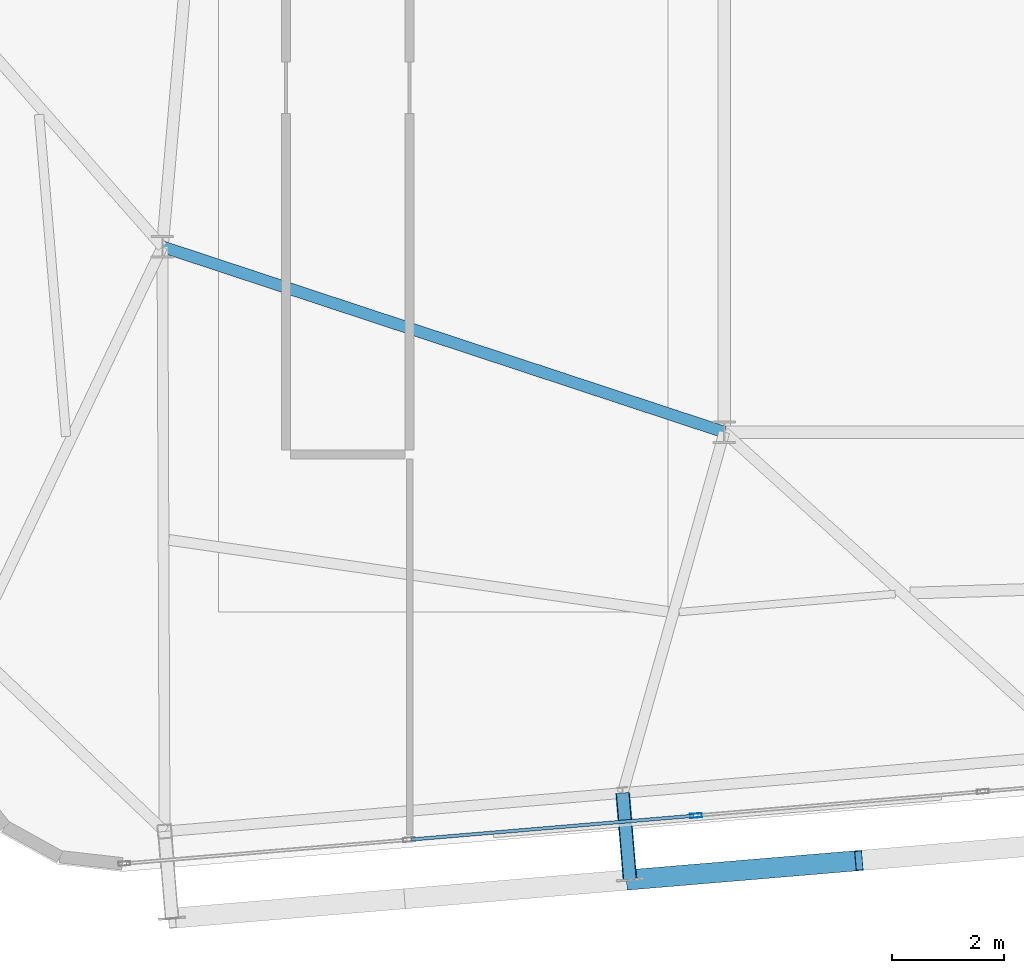
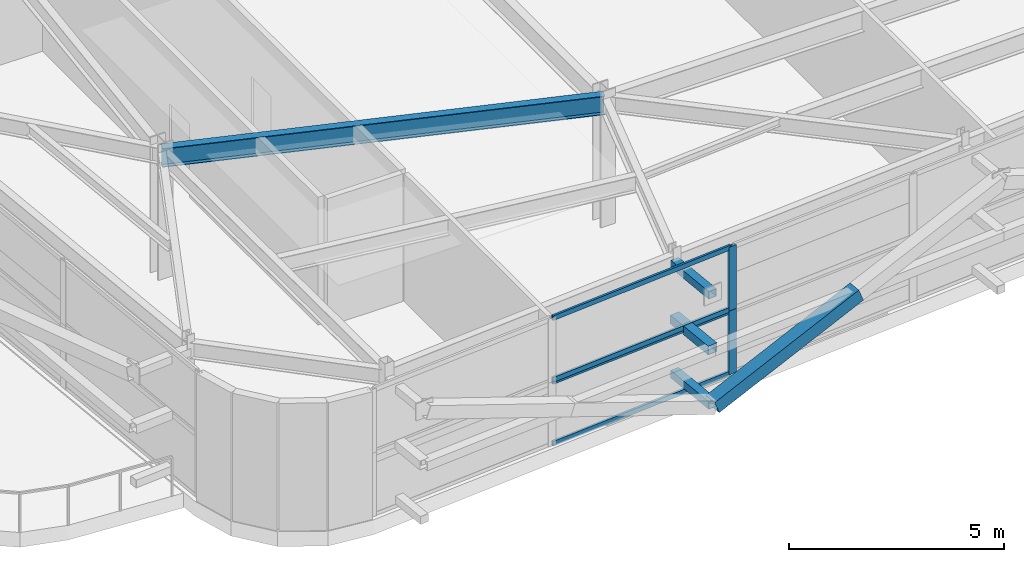
# One storey, part 9 of 38: 10 members, 1 beam, 2 elements without a shape of their own.
"""IFC4 building model written with IfcOpenShell, lengths in metres."""

from ifc_helpers import new_model, si_unit, direction, frame, origin, origin_2d, place, context, subcontext, project, spatial, hollow_rectangle, i_section, extrude, source, transform, mapped, material, layer, layer_set, material_profile, profile_set, type_object, element, aggregate, save


model = new_model("IFC4")

# Units and contexts
model_context = context("Model", 3, precision=1e-05, world=origin(), true_north=direction((0.0, 1.0)))
body_context = subcontext(model_context, "Body", "Model", "MODEL_VIEW")
ifc_project = project(units=[si_unit("LENGTHUNIT", "METRE"), si_unit("AREAUNIT", "SQUARE_METRE"), si_unit("VOLUMEUNIT", "CUBIC_METRE"), si_unit("PLANEANGLEUNIT", "RADIAN"), si_unit("MASSUNIT", "GRAM", prefix="KILO")], contexts=[model_context])

# Site, building, storey
site_placement = place(None, origin())
site = spatial("IfcSite", under=ifc_project, at=site_placement, CompositionType="ELEMENT")
building_placement = place(site_placement, origin())
building = spatial("IfcBuilding", under=site, at=building_placement, Name="Taldren Reach Tower", CompositionType="ELEMENT")
storey_placement = place(building_placement, frame((0.0, 0.0, 168.699951171875)))
storey = spatial("IfcBuildingStorey", under=building, at=storey_placement, Name="L51", CompositionType="ELEMENT", Elevation=168.699951171875)

# Beam
ifc_material_1 = material(Name="Steel Gr 350 (350PLUS)", Category="steel")
ifc_material_profile_1 = material_profile(ifc_material_1, i_section(OverallWidth=0.208984375, OverallDepth=0.532958984375, WebThickness=0.01025390625, FlangeThickness=0.015625, at=origin_2d()), Name="530UB92.4")
ifc_profile_set_1 = profile_set([ifc_material_profile_1], Name="Steel Gr 350 (350PLUS)")
beam_type = type_object("IfcBeamType", Name="BM-UB530A", PredefinedType="BEAM", material=ifc_profile_set_1)
shared_shape_1 = source(origin(), body_context, "Body", "SweptSolid", [
    extrude(i_section(OverallWidth=0.208984375, OverallDepth=0.532958984375, WebThickness=0.01025390625, FlangeThickness=0.015625, at=origin_2d()), origin(), (0.0, 0.0, 1.0), 10.530517578125),
])
beam_placement = place(storey_placement, frame((18.0, 12.5, 3.363525390625), z_axis=(0.949627269203, -0.313381635689, 0.0), x_axis=(0.313381635689, 0.949627269203, 0.0)))
element("IfcBeam", 1, at=beam_placement, inside=storey, type_object=beam_type, Name="Core-spine girder L51-SP10", PredefinedType="BEAM", context=body_context, shape_type="MappedRepresentation", body=[
    mapped(shared_shape_1, transform((0.0, 0.0, 0.0), scale=1.0)),
])

# Members
ifc_material_2 = material(Name="Steel Gr 350 (C350L0)", Category="steel")
ifc_material_profile_2 = material_profile(ifc_material_2, hollow_rectangle(XDim=0.25, YDim=0.25, WallThickness=0.010009765625, at=origin_2d()), Name="250x250x10.0SHS")
ifc_profile_set_2 = profile_set([ifc_material_profile_2], Name="Steel Gr 350 (C350L0)")
member_type_1 = type_object("IfcMemberType", Name="MB-POST250", PredefinedType="POST", material=ifc_profile_set_2)
shared_shape_2 = source(origin(), body_context, "Body", "SweptSolid", [
    extrude(hollow_rectangle(XDim=0.25, YDim=0.25, WallThickness=0.010009765625, at=origin_2d()), origin(), (0.0, 0.0, 1.0), 1.550048828125),
])
member_1_placement = place(storey_placement, frame((26.19091796875, 2.778564453125, 1.78515625), z_axis=(0.083632013783, -0.996496706603, 0.0), x_axis=(0.996496706603, 0.083632013783, 0.0)))
element("IfcMember", 2, at=member_1_placement, inside=storey, type_object=member_type_1, Name="Exoskeleton mid-tier diaphragm tie B4-S2 L51", PredefinedType="POST", context=body_context, shape_type="MappedRepresentation", body=[
    mapped(shared_shape_2, transform((0.0, 0.0, 0.0), scale=1.0)),
])
ifc_material_3 = material(Name="Steel Gr 450 (C450L0)", Category="steel")
ifc_material_profile_3 = material_profile(ifc_material_3, hollow_rectangle(XDim=0.219970703125, YDim=0.219970703125, WallThickness=0.00830078125, at=origin_2d()), Name="220x220x8.2SHS")
ifc_profile_set_3 = profile_set([ifc_material_profile_3], Name="Steel Gr 450 (C450L0)")
member_type_2 = type_object("IfcMemberType", Name="MB-TIE219", PredefinedType="STRUT", material=ifc_profile_set_3)
shared_shape_3 = source(origin(), body_context, "Body", "SweptSolid", [
    extrude(hollow_rectangle(XDim=0.219970703125, YDim=0.219970703125, WallThickness=0.00830078125, at=origin_2d()), origin(), (0.0, 0.0, 1.0), 1.550048828125),
])
for number, where, z_axis, x_axis, name in (
    (3, (26.19091796875, 2.778564453125, 3.35009765625), (0.083632013783, -0.996496706603, 0.0), (0.996496706603, 0.083632013783, 0.0), "Exoskeleton diaphragm tie strut B4-S2 L51"),
    (4, (26.19091796875, 2.778564453125, 0.219970703125), (0.083632013783, -0.996496706603, 0.0), (0.996496706603, 0.083632013783, 0.0), "Exoskeleton base diaphragm tie strut B4-S2 L51"),
):
    element("IfcMember", number, at=place(storey_placement, frame(where, z_axis=z_axis, x_axis=x_axis)), inside=storey, type_object=member_type_2, Name=name, PredefinedType="STRUT", context=body_context, shape_type="MappedRepresentation", body=[
        mapped(shared_shape_3, transform((0.0, 0.0, 0.0), scale=1.0)),
    ])
ifc_material_profile_4 = material_profile(ifc_material_3, hollow_rectangle(XDim=0.360107421875, YDim=0.360107421875, WallThickness=0.0126953125, at=origin_2d()), Name="360x360x12.7SHS")
ifc_profile_set_4 = profile_set([ifc_material_profile_4], Name="Steel Gr 450 (C450L0)")
member_type_3 = type_object("IfcMemberType", Name="MB-EXO356", PredefinedType="BRACE", material=ifc_profile_set_4)
shared_shape_4 = source(origin(), body_context, "Body", "SweptSolid", [
    extrude(hollow_rectangle(XDim=0.360107421875, YDim=0.360107421875, WallThickness=0.0126953125, at=origin_2d()), origin(), (0.0, 0.0, 1.0), 4.37939453125),
])
member_2_placement = place(storey_placement, frame((26.320556640625, 1.23388671875, 0.219970703125), z_axis=(0.930672697263, 0.078160004886, 0.357406413212), x_axis=(-0.083687662192, 0.996492034688, 0.0)))
element("IfcMember", 5, at=member_2_placement, inside=storey, type_object=member_type_3, Name="Exoskeleton Diagrid Brace B4-S2 L51", PredefinedType="BRACE", context=body_context, shape_type="MappedRepresentation", body=[
    mapped(shared_shape_4, transform((0.0, 0.0, 0.0), scale=1.0)),
])

# Curtain wall, members
ifc_material_4 = material(Name="Aluminium and Low-E Glass Unitised System", Category="aluminium")
ifc_layer = layer(ifc_material_4, 0.159912109375)
ifc_layer_set = layer_set([ifc_layer], Name="Aluminium and Low-E Glass Unitised System")
curtain_wall_type = type_object("IfcCurtainWallType", Name="CW-SYS-7", PredefinedType="NOTDEFINED", material=ifc_layer_set)
curtain_wall_1_placement = place(storey_placement, origin())
curtain_wall_1 = element("IfcCurtainWall", 6, at=curtain_wall_1_placement, inside=storey, type_object=curtain_wall_type, Name="Unitised curtain wall CW-L51-S1", PredefinedType="NOTDEFINED")
ifc_material_5 = material(Name="Anodised Aluminium 6063-T6", Category="aluminium")
ifc_material_profile_5 = material_profile(ifc_material_5, hollow_rectangle(XDim=0.074951171875, YDim=0.2099609375, WallThickness=0.00439453125, at=origin_2d()), Name="ALU-210x75x4.5RHS")
ifc_profile_set_5 = profile_set([ifc_material_profile_5], Name="Anodised Aluminium 6063-T6")
member_type_4 = type_object("IfcMemberType", Name="CW-MUL-200", PredefinedType="MULLION", material=ifc_profile_set_5)
shared_shape_5 = source(origin(), body_context, "Body", "SweptSolid", [
    extrude(hollow_rectangle(XDim=0.074951171875, YDim=0.2099609375, WallThickness=0.00439453125, at=origin_2d()), origin(), (0.0, 0.0, 1.0), 1.81494140625),
])
member_3_placement = place(storey_placement, frame((27.4951171875, 2.376220703125, 0.0), z_axis=(0.0, 0.0, 1.0), x_axis=(-0.083677915318, 0.996492853205, 0.0)))
member_3 = element("IfcMember", 7, at=member_3_placement, type_object=member_type_4, Name="CW-7 mullion 3", PredefinedType="MULLION", context=body_context, shape_type="MappedRepresentation", body=[
    mapped(shared_shape_5, transform((0.0, 0.0, 0.0), scale=1.0)),
])
ifc_material_profile_6 = material_profile(ifc_material_5, hollow_rectangle(XDim=0.06005859375, YDim=0.135009765625, WallThickness=0.00341796875, at=origin_2d()), Name="ALU-135x60x3.5RHS")
ifc_profile_set_6 = profile_set([ifc_material_profile_6], Name="Anodised Aluminium 6063-T6")
member_type_5 = type_object("IfcMemberType", Name="CW-TRN-150", PredefinedType="USERDEFINED", material=ifc_profile_set_6)
shared_shape_6 = source(origin(), body_context, "Body", "SweptSolid", [
    extrude(hollow_rectangle(XDim=0.06005859375, YDim=0.135009765625, WallThickness=0.00341796875, at=origin_2d()), origin(), (0.0, 0.0, 1.0), 5.048095703125),
])
member_4_placement = place(storey_placement, frame((22.427490234375, 1.95068359375, 0.030029296875), z_axis=(0.996493529553, 0.083669860519, 0.0), x_axis=(-0.083669860519, 0.996493529553, 0.0)))
member_4 = element("IfcMember", 8, at=member_4_placement, type_object=member_type_5, Name="CW-7 transom 2.1", ObjectType="TRANSOM", PredefinedType="USERDEFINED", context=body_context, shape_type="MappedRepresentation", body=[
    mapped(shared_shape_6, transform((0.0, 0.0, 0.0), scale=1.0)),
])
member_5_placement = place(storey_placement, frame((22.427490234375, 1.95068359375, 1.78515625), z_axis=(0.996493529553, 0.083669860519, 0.0), x_axis=(-0.083669860519, 0.996493529553, 0.0)))
member_5 = element("IfcMember", 9, at=member_5_placement, type_object=member_type_5, Name="CW-7 transom 2.2", ObjectType="TRANSOM", PredefinedType="USERDEFINED", context=body_context, shape_type="MappedRepresentation", body=[
    mapped(shared_shape_6, transform((0.0, 0.0, 0.0), scale=1.0)),
])
aggregate(curtain_wall_1, [member_3, member_4, member_5])

curtain_wall_2_placement = place(storey_placement, origin())
curtain_wall_2 = element("IfcCurtainWall", 10, at=curtain_wall_2_placement, inside=storey, type_object=curtain_wall_type, Name="Unitised curtain wall CW-L51-S1-T2", PredefinedType="NOTDEFINED")
member_6_placement = place(storey_placement, frame((22.427490234375, 1.95068359375, 1.844970703125), z_axis=(0.996493529553, 0.083669860519, 0.0), x_axis=(-0.083669860519, 0.996493529553, 0.0)))
member_6 = element("IfcMember", 11, at=member_6_placement, type_object=member_type_5, Name="CW-7 transom 2.1", ObjectType="TRANSOM", PredefinedType="USERDEFINED", context=body_context, shape_type="MappedRepresentation", body=[
    mapped(shared_shape_6, transform((0.0, 0.0, 0.0), scale=1.0)),
])
member_7_placement = place(storey_placement, frame((22.427490234375, 1.95068359375, 3.60009765625), z_axis=(0.996493529553, 0.083669860519, 0.0), x_axis=(-0.083669860519, 0.996493529553, 0.0)))
member_7 = element("IfcMember", 12, at=member_7_placement, type_object=member_type_5, Name="CW-7 transom 2.2", ObjectType="TRANSOM", PredefinedType="USERDEFINED", context=body_context, shape_type="MappedRepresentation", body=[
    mapped(shared_shape_6, transform((0.0, 0.0, 0.0), scale=1.0)),
])
shared_shape_7 = source(origin(), body_context, "Body", "SweptSolid", [
    extrude(hollow_rectangle(XDim=0.074951171875, YDim=0.2099609375, WallThickness=0.00439453125, at=origin_2d()), origin(), (0.0, 0.0, 1.0), 1.815185546875),
])
member_8_placement = place(storey_placement, frame((27.4951171875, 2.376220703125, 1.81494140625), z_axis=(0.0, 0.0, 1.0), x_axis=(-0.083677915318, 0.996492853205, 0.0)))
member_8 = element("IfcMember", 13, at=member_8_placement, type_object=member_type_4, Name="CW-7 mullion 3", PredefinedType="MULLION", context=body_context, shape_type="MappedRepresentation", body=[
    mapped(shared_shape_7, transform((0.0, 0.0, 0.0), scale=1.0)),
])
aggregate(curtain_wall_2, [member_8, member_6, member_7])

save(model, "model.ifc")
